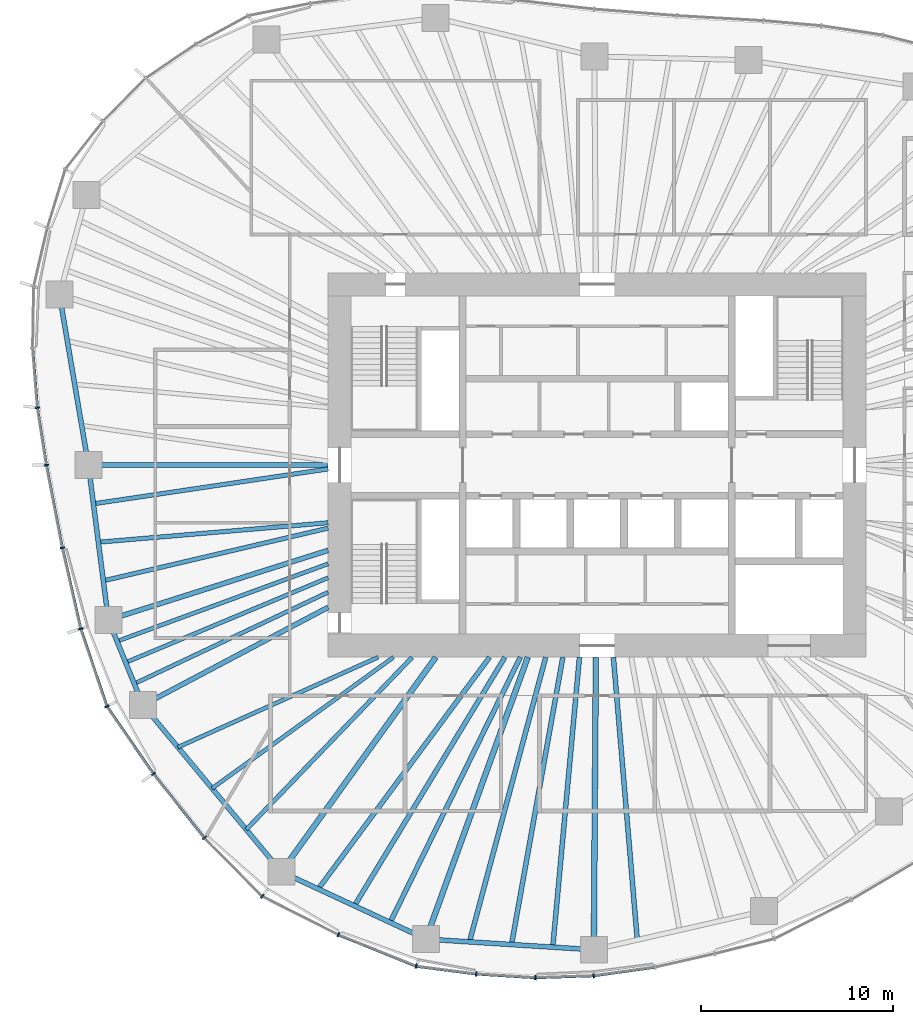
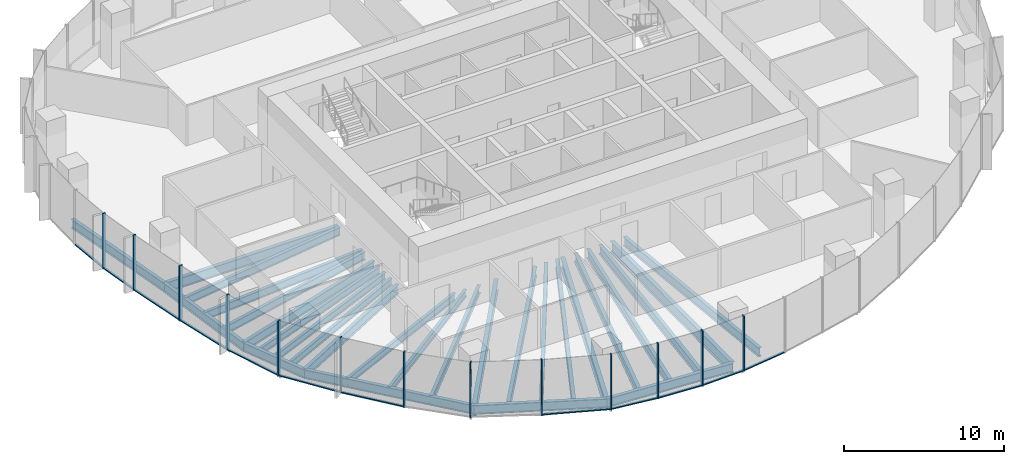
# One storey, part 2 of 18: 28 beams, 25 members, 7 elements without a shape of their own.
"""IFC4 building model written with IfcOpenShell, lengths in metres."""

from ifc_helpers import new_model, si_unit, direction, frame, origin, origin_2d, place, context, subcontext, project, spatial, rectangle, i_section, extrude, material, material_profile, profile_set, type_object, element, aggregate, save


model = new_model("IFC4")

# Units and contexts
model_context = context("Model", 3, precision=1e-05, world=origin(), true_north=direction((0.0, 1.0)))
body_context = subcontext(model_context, "Body", "Model", "MODEL_VIEW")
ifc_project = project(units=[si_unit("LENGTHUNIT", "METRE"), si_unit("AREAUNIT", "SQUARE_METRE"), si_unit("VOLUMEUNIT", "CUBIC_METRE"), si_unit("PLANEANGLEUNIT", "RADIAN"), si_unit("MASSUNIT", "GRAM", prefix="KILO")], contexts=[model_context])

# Site, building, storey
site_placement = place(None, origin())
site = spatial("IfcSite", under=ifc_project, at=site_placement, CompositionType="ELEMENT")
building_placement = place(site_placement, origin())
building = spatial("IfcBuilding", under=site, at=building_placement, Name="Ghaith Harvest Tower", CompositionType="ELEMENT")
storey_placement = place(building_placement, frame((0.0, 0.0, 151.199951171875)))
storey = spatial("IfcBuildingStorey", under=building, at=storey_placement, Name="L32", CompositionType="ELEMENT", Elevation=151.199951171875)

# Curtain wall, member
ifc_material_1 = material(Name="Black anodised aluminium and fritted glass", Category="aluminium")
curtain_wall_type = type_object("IfcCurtainWallType", Name="CW-L CURTAIN WALL", PredefinedType="NOTDEFINED", material=ifc_material_1)
curtain_wall_1_placement = place(storey_placement, origin())
curtain_wall_1 = element("IfcCurtainWall", 1, at=curtain_wall_1_placement, inside=storey, type_object=curtain_wall_type, Name="Curtain wall CW-L bay 10 L32", PredefinedType="NOTDEFINED")
ifc_material_2 = material(Name="Aluminium, black anodised", Category="aluminium")
ifc_material_profile_1 = material_profile(ifc_material_2, rectangle(XDim=0.080078125, YDim=0.239990234375, at=origin_2d()), Name="CW-L MULLION 80x240")
ifc_profile_set_1 = profile_set([ifc_material_profile_1], Name="Aluminium, black anodised")
member_type_1 = type_object("IfcMemberType", Name="CW-L MULLION 80x240", PredefinedType="MULLION", material=ifc_profile_set_1)
member_1_placement = place(storey_placement, frame((-29.131103515625, 2.990478515625, 0.0), z_axis=(0.0, 0.0, 1.0), x_axis=(0.116763791346, -0.993159713757, 0.0)))
member_1 = element("IfcMember", 2, at=member_1_placement, type_object=member_type_1, Name="CW-L mullion 3 bay 10 L32", PredefinedType="MULLION", context=body_context, shape_type="SweptSolid", body=[
    extrude(rectangle(XDim=0.080078125, YDim=0.239990234375, at=origin_2d()), origin(), (0.0, 0.0, 1.0), 4.199951171875),
])

# Curtain wall, members
curtain_wall_2_placement = place(storey_placement, origin())
curtain_wall_2 = element("IfcCurtainWall", 3, at=curtain_wall_2_placement, inside=storey, type_object=curtain_wall_type, Name="Curtain wall CW-L bay 11 L32", PredefinedType="NOTDEFINED")
member_2_placement = place(storey_placement, frame((-28.6611328125, 0.0, 0.0), z_axis=(0.0, 0.0, 1.0), x_axis=(0.175827209372, -0.984421044292, 0.0)))
member_2 = element("IfcMember", 4, at=member_2_placement, type_object=member_type_1, Name="CW-L mullion 1 bay 11 L32", PredefinedType="MULLION", context=body_context, shape_type="SweptSolid", body=[
    extrude(rectangle(XDim=0.080078125, YDim=0.239990234375, at=origin_2d()), origin(), (0.0, 0.0, 1.0), 4.199951171875),
])
member_3_placement = place(storey_placement, frame((-27.828125, -4.30419921875, 0.0), z_axis=(0.0, 0.0, 1.0), x_axis=(0.205176300018, -0.978725030798, 0.0)))
member_3 = element("IfcMember", 5, at=member_3_placement, type_object=member_type_1, Name="CW-L mullion 2 bay 11 L32", PredefinedType="MULLION", context=body_context, shape_type="SweptSolid", body=[
    extrude(rectangle(XDim=0.080078125, YDim=0.239990234375, at=origin_2d()), origin(), (0.0, 0.0, 1.0), 4.199951171875),
])

curtain_wall_3_placement = place(storey_placement, origin())
curtain_wall_3 = element("IfcCurtainWall", 6, at=curtain_wall_3_placement, inside=storey, type_object=curtain_wall_type, Name="Curtain wall CW-L bay 12 L32", PredefinedType="NOTDEFINED")
member_4_placement = place(storey_placement, frame((-26.875732421875, -8.517333984375, 0.0), z_axis=(0.0, 0.0, 1.0), x_axis=(0.270018818005, -0.962855045125, 0.0)))
member_4 = element("IfcMember", 7, at=member_4_placement, type_object=member_type_1, Name="CW-L mullion 1 bay 12 L32", PredefinedType="MULLION", context=body_context, shape_type="SweptSolid", body=[
    extrude(rectangle(XDim=0.080078125, YDim=0.239990234375, at=origin_2d()), origin(), (0.0, 0.0, 1.0), 4.199951171875),
])
member_5_placement = place(storey_placement, frame((-25.513427734375, -12.55810546875, 0.0), z_axis=(0.0, 0.0, 1.0), x_axis=(0.448267068681, -0.893899678452, 0.0)))
member_5 = element("IfcMember", 8, at=member_5_placement, type_object=member_type_1, Name="CW-L mullion 2 bay 12 L32", PredefinedType="MULLION", context=body_context, shape_type="SweptSolid", body=[
    extrude(rectangle(XDim=0.080078125, YDim=0.239990234375, at=origin_2d()), origin(), (0.0, 0.0, 1.0), 4.199951171875),
])

curtain_wall_4_placement = place(storey_placement, origin())
curtain_wall_4 = element("IfcCurtainWall", 9, at=curtain_wall_4_placement, inside=storey, type_object=curtain_wall_type, Name="Curtain wall CW-L bay 13 L32", PredefinedType="NOTDEFINED")
member_6_placement = place(storey_placement, frame((-23.090087890625, -16.066162109375, 0.0), z_axis=(0.0, 0.0, 1.0), x_axis=(0.595740202191, -0.803177198066, 0.0)))
member_6 = element("IfcMember", 10, at=member_6_placement, type_object=member_type_1, Name="CW-L mullion 1 bay 13 L32", PredefinedType="MULLION", context=body_context, shape_type="SweptSolid", body=[
    extrude(rectangle(XDim=0.080078125, YDim=0.239990234375, at=origin_2d()), origin(), (0.0, 0.0, 1.0), 4.199951171875),
])
member_7_placement = place(storey_placement, frame((-20.441162109375, -19.396728515625, 0.0), z_axis=(0.0, 0.0, 1.0), x_axis=(0.663764675537, -0.747941478666, 0.0)))
member_7 = element("IfcMember", 11, at=member_7_placement, type_object=member_type_1, Name="CW-L mullion 2 bay 13 L32", PredefinedType="MULLION", context=body_context, shape_type="SweptSolid", body=[
    extrude(rectangle(XDim=0.080078125, YDim=0.239990234375, at=origin_2d()), origin(), (0.0, 0.0, 1.0), 4.199951171875),
])

curtain_wall_5_placement = place(storey_placement, origin())
curtain_wall_5 = element("IfcCurtainWall", 12, at=curtain_wall_5_placement, inside=storey, type_object=curtain_wall_type, Name="Curtain wall CW-L bay 14 L32", PredefinedType="NOTDEFINED")
member_8_placement = place(storey_placement, frame((-17.430419921875, -22.443603515625, 0.0), z_axis=(0.0, 0.0, 1.0), x_axis=(0.810339399222, -0.585960799089, 0.0)))
member_8 = element("IfcMember", 13, at=member_8_placement, type_object=member_type_1, Name="CW-L mullion 1 bay 14 L32", PredefinedType="MULLION", context=body_context, shape_type="SweptSolid", body=[
    extrude(rectangle(XDim=0.080078125, YDim=0.239990234375, at=origin_2d()), origin(), (0.0, 0.0, 1.0), 4.199951171875),
])
member_9_placement = place(storey_placement, frame((-13.463134765625, -24.4423828125, 0.0), z_axis=(0.0, 0.0, 1.0), x_axis=(0.910648017946, -0.413182995066, 0.0)))
member_9 = element("IfcMember", 14, at=member_9_placement, type_object=member_type_1, Name="CW-L mullion 2 bay 14 L32", PredefinedType="MULLION", context=body_context, shape_type="SweptSolid", body=[
    extrude(rectangle(XDim=0.080078125, YDim=0.239990234375, at=origin_2d()), origin(), (0.0, 0.0, 1.0), 4.199951171875),
])

curtain_wall_6_placement = place(storey_placement, origin())
curtain_wall_6 = element("IfcCurtainWall", 15, at=curtain_wall_6_placement, inside=storey, type_object=curtain_wall_type, Name="Curtain wall CW-L bay 15 L32", PredefinedType="NOTDEFINED")
member_10_placement = place(storey_placement, frame((-9.4189453125, -26.07861328125, 0.0), z_axis=(0.0, 0.0, 1.0), x_axis=(0.961788606004, -0.273793128768, 0.0)))
member_10 = element("IfcMember", 16, at=member_10_placement, type_object=member_type_1, Name="CW-L mullion 1 bay 15 L32", PredefinedType="MULLION", context=body_context, shape_type="SweptSolid", body=[
    extrude(rectangle(XDim=0.080078125, YDim=0.239990234375, at=origin_2d()), origin(), (0.0, 0.0, 1.0), 4.199951171875),
])
member_11_placement = place(storey_placement, frame((-6.29443359375, -26.483154296875, 0.0), z_axis=(0.0, 0.0, 1.0), x_axis=(0.995389243171, -0.095917957546, 0.0)))
member_11 = element("IfcMember", 17, at=member_11_placement, type_object=member_type_1, Name="CW-L mullion 2 bay 15 L32", PredefinedType="MULLION", context=body_context, shape_type="SweptSolid", body=[
    extrude(rectangle(XDim=0.080078125, YDim=0.239990234375, at=origin_2d()), origin(), (0.0, 0.0, 1.0), 4.199951171875),
])
member_12_placement = place(storey_placement, frame((-3.21923828125, -26.676025390625, 0.0), z_axis=(0.0, 0.0, 1.0), x_axis=(0.999890531495, -0.014796115241, 0.0)))
member_12 = element("IfcMember", 18, at=member_12_placement, type_object=member_type_1, Name="CW-L mullion 3 bay 15 L32", PredefinedType="MULLION", context=body_context, shape_type="SweptSolid", body=[
    extrude(rectangle(XDim=0.080078125, YDim=0.239990234375, at=origin_2d()), origin(), (0.0, 0.0, 1.0), 4.199951171875),
])

# Curtain wall, member
curtain_wall_7_placement = place(storey_placement, origin())
curtain_wall_7 = element("IfcCurtainWall", 19, at=curtain_wall_7_placement, inside=storey, type_object=curtain_wall_type, Name="Curtain wall CW-L bay 16 L32", PredefinedType="NOTDEFINED")
member_13_placement = place(storey_placement, frame((-0.181884765625, -26.57373046875, 0.0), z_axis=(0.0, 0.0, 1.0), x_axis=(0.996169227662, 0.087446382772, 0.0)))
member_13 = element("IfcMember", 20, at=member_13_placement, type_object=member_type_1, Name="CW-L mullion 1 bay 16 L32", PredefinedType="MULLION", context=body_context, shape_type="SweptSolid", body=[
    extrude(rectangle(XDim=0.080078125, YDim=0.239990234375, at=origin_2d()), origin(), (0.0, 0.0, 1.0), 4.199951171875),
])

# Member
ifc_material_3 = material(Name="Aluminium, black anodised", Category="aluminium")
ifc_material_profile_2 = material_profile(ifc_material_3, rectangle(XDim=0.14990234375, YDim=0.080078125, at=origin_2d()), Name="CW-L TRANSOM 150x80")
ifc_profile_set_2 = profile_set([ifc_material_profile_2], Name="Aluminium, black anodised")
member_type_2 = type_object("IfcMemberType", Name="CW-L TRANSOM 150x80", PredefinedType="USERDEFINED", material=ifc_profile_set_2)
member_14_placement = place(storey_placement, frame((-29.374755859375, 6.05615234375, 0.0400390625), z_axis=(0.079230491279, -0.996856323274, 0.0), x_axis=(0.996856323274, 0.079230491279, 0.0)))
member_14 = element("IfcMember", 21, at=member_14_placement, type_object=member_type_2, Name="CW-L transom 2 bay 10 L32", ObjectType="TRANSOM", PredefinedType="USERDEFINED", context=body_context, shape_type="SweptSolid", body=[
    extrude(rectangle(XDim=0.14990234375, YDim=0.080078125, at=origin_2d()), origin(), (0.0, 0.0, 1.0), 3.03515625),
])

member_15_placement = place(storey_placement, frame((-29.124755859375, 2.951171875, 0.0400390625), z_axis=(0.155150065502, -0.987890913601, 0.0), x_axis=(0.987890913601, 0.155150065502, 0.0)))
member_15 = element("IfcMember", 22, at=member_15_placement, type_object=member_type_2, Name="CW-L transom 3 bay 10 L32", ObjectType="TRANSOM", PredefinedType="USERDEFINED", context=body_context, shape_type="SweptSolid", body=[
    extrude(rectangle(XDim=0.14990234375, YDim=0.080078125, at=origin_2d()), origin(), (0.0, 0.0, 1.0), 2.947265625),
])

aggregate(curtain_wall_1, [member_14, member_1, member_15])

member_16_placement = place(storey_placement, frame((-28.653564453125, -0.039306640625, 0.0400390625), z_axis=(0.190025434036, -0.981779167848, 0.0), x_axis=(0.981779167848, 0.190025434036, 0.0)))
member_16 = element("IfcMember", 23, at=member_16_placement, type_object=member_type_2, Name="CW-L transom 1 bay 11 L32", ObjectType="TRANSOM", PredefinedType="USERDEFINED", context=body_context, shape_type="SweptSolid", body=[
    extrude(rectangle(XDim=0.14990234375, YDim=0.080078125, at=origin_2d()), origin(), (0.0, 0.0, 1.0), 4.303955078125),
])

member_17_placement = place(storey_placement, frame((-27.8193359375, -4.34326171875, 0.0400390625), z_axis=(0.220508326041, -0.975385092231, 0.0), x_axis=(0.975385092231, 0.220508326041, 0.0)))
member_17 = element("IfcMember", 24, at=member_17_placement, type_object=member_type_2, Name="CW-L transom 2 bay 11 L32", ObjectType="TRANSOM", PredefinedType="USERDEFINED", context=body_context, shape_type="SweptSolid", body=[
    extrude(rectangle(XDim=0.14990234375, YDim=0.080078125, at=origin_2d()), origin(), (0.0, 0.0, 1.0), 4.2392578125),
])

aggregate(curtain_wall_2, [member_2, member_16, member_3, member_17])

member_18_placement = place(storey_placement, frame((-26.863037109375, -8.55517578125, 0.0400390625), z_axis=(0.319499057133, -0.947586593664, 0.0), x_axis=(0.947586593664, 0.319499057133, 0.0)))
member_18 = element("IfcMember", 25, at=member_18_placement, type_object=member_type_2, Name="CW-L transom 1 bay 12 L32", ObjectType="TRANSOM", PredefinedType="USERDEFINED", context=body_context, shape_type="SweptSolid", body=[
    extrude(rectangle(XDim=0.14990234375, YDim=0.080078125, at=origin_2d()), origin(), (0.0, 0.0, 1.0), 4.184326171875),
])

member_19_placement = place(storey_placement, frame((-25.49072265625, -12.591064453125, 0.0400390625), z_axis=(0.568360052499, -0.822779952796, 0.0), x_axis=(0.822779952796, 0.568360052499, 0.0)))
member_19 = element("IfcMember", 26, at=member_19_placement, type_object=member_type_2, Name="CW-L transom 2 bay 12 L32", ObjectType="TRANSOM", PredefinedType="USERDEFINED", context=body_context, shape_type="SweptSolid", body=[
    extrude(rectangle(XDim=0.14990234375, YDim=0.080078125, at=origin_2d()), origin(), (0.0, 0.0, 1.0), 4.183837890625),
])

aggregate(curtain_wall_3, [member_4, member_18, member_5, member_19])

member_20_placement = place(storey_placement, frame((-23.065185546875, -16.09765625, 0.0400390625), z_axis=(0.622510542814, -0.782611413209, 0.0), x_axis=(0.782611413209, 0.622510542814, 0.0)))
member_20 = element("IfcMember", 27, at=member_20_placement, type_object=member_type_2, Name="CW-L transom 1 bay 13 L32", ObjectType="TRANSOM", PredefinedType="USERDEFINED", context=body_context, shape_type="SweptSolid", body=[
    extrude(rectangle(XDim=0.14990234375, YDim=0.080078125, at=origin_2d()), origin(), (0.0, 0.0, 1.0), 4.17529296875),
])

aggregate(curtain_wall_4, [member_6, member_20, member_7])

member_21_placement = place(storey_placement, frame((-13.426025390625, -24.45751953125, 0.0400390625), z_axis=(0.92700297754, -0.375053968959, 0.0), x_axis=(0.375053968959, 0.92700297754, 0.0)))
member_21 = element("IfcMember", 28, at=member_21_placement, type_object=member_type_2, Name="CW-L transom 2 bay 14 L32", ObjectType="TRANSOM", PredefinedType="USERDEFINED", context=body_context, shape_type="SweptSolid", body=[
    extrude(rectangle(XDim=0.14990234375, YDim=0.080078125, at=origin_2d()), origin(), (0.0, 0.0, 1.0), 4.282470703125),
])

aggregate(curtain_wall_5, [member_8, member_9, member_21])

member_22_placement = place(storey_placement, frame((-9.37939453125, -26.083740234375, 0.0400390625), z_axis=(0.991722765635, -0.128397648429, 0.0), x_axis=(0.128397648429, 0.991722765635, 0.0)))
member_22 = element("IfcMember", 29, at=member_22_placement, type_object=member_type_2, Name="CW-L transom 1 bay 15 L32", ObjectType="TRANSOM", PredefinedType="USERDEFINED", context=body_context, shape_type="SweptSolid", body=[
    extrude(rectangle(XDim=0.14990234375, YDim=0.080078125, at=origin_2d()), origin(), (0.0, 0.0, 1.0), 3.07080078125),
])

member_23_placement = place(storey_placement, frame((-6.25439453125, -26.485595703125, 0.0400390625), z_axis=(0.998036402434, -0.062636566132, 0.0), x_axis=(0.062636566132, 0.998036402434, 0.0)))
member_23 = element("IfcMember", 30, at=member_23_placement, type_object=member_type_2, Name="CW-L transom 2 bay 15 L32", ObjectType="TRANSOM", PredefinedType="USERDEFINED", context=body_context, shape_type="SweptSolid", body=[
    extrude(rectangle(XDim=0.14990234375, YDim=0.080078125, at=origin_2d()), origin(), (0.0, 0.0, 1.0), 3.001220703125),
])

member_24_placement = place(storey_placement, frame((-3.17919921875, -26.6748046875, 0.0400390625), z_axis=(0.999430436664, 0.033746144522, 0.0), x_axis=(-0.033746144522, 0.999430436664, 0.0)))
member_24 = element("IfcMember", 31, at=member_24_placement, type_object=member_type_2, Name="CW-L transom 3 bay 15 L32", ObjectType="TRANSOM", PredefinedType="USERDEFINED", context=body_context, shape_type="SweptSolid", body=[
    extrude(rectangle(XDim=0.14990234375, YDim=0.080078125, at=origin_2d()), origin(), (0.0, 0.0, 1.0), 2.958984375),
])

aggregate(curtain_wall_6, [member_10, member_22, member_11, member_23, member_12, member_24])

member_25_placement = place(storey_placement, frame((-0.142333984375, -26.568115234375, 0.0400390625), z_axis=(0.990446640965, 0.137896524254, 0.0), x_axis=(-0.137896524254, 0.990446640965, 0.0)))
member_25 = element("IfcMember", 32, at=member_25_placement, type_object=member_type_2, Name="CW-L transom 1 bay 16 L32", ObjectType="TRANSOM", PredefinedType="USERDEFINED", context=body_context, shape_type="SweptSolid", body=[
    extrude(rectangle(XDim=0.14990234375, YDim=0.080078125, at=origin_2d()), origin(), (0.0, 0.0, 1.0), 3.142578125),
])

aggregate(curtain_wall_7, [member_13, member_25])

# Beams
ifc_material_4 = material(Name="Steel ASTM A992 Grade 50", Category="steel")
ifc_material_profile_3 = material_profile(ifc_material_4, i_section(OverallWidth=0.25390625, OverallDepth=0.68408203125, WebThickness=0.012451171875, FlangeThickness=0.018798828125, at=origin_2d()), Name="W690X140")
ifc_profile_set_3 = profile_set([ifc_material_profile_3], Name="Steel ASTM A992 Grade 50")
beam_type_1 = type_object("IfcBeamType", Name="E690-140 W690X140", PredefinedType="SPANDREL", material=ifc_profile_set_3)
beam_1_placement = place(storey_placement, frame((-27.98291015625, 8.867919921875, -0.511962890625), z_axis=(0.167624246844, -0.985850958244, 0.0), x_axis=(0.985850958244, 0.167624246844, 0.0)))
element("IfcBeam", 33, at=beam_1_placement, inside=storey, type_object=beam_type_1, Name="Edge beam E10 L32", PredefinedType="SPANDREL", context=body_context, shape_type="SweptSolid", body=[
    extrude(i_section(OverallWidth=0.25390625, OverallDepth=0.68408203125, WebThickness=0.012451171875, FlangeThickness=0.018798828125, at=origin_2d()), origin(), (0.0, 0.0, 1.0), 8.9951171875),
])
beam_2_placement = place(storey_placement, frame((-26.47509765625, 0.0, -0.511962890625), z_axis=(0.127841715048, -0.991794583517, 0.0), x_axis=(0.991794583517, 0.127841715048, 0.0)))
element("IfcBeam", 34, at=beam_2_placement, inside=storey, type_object=beam_type_1, Name="Edge beam E11 L32", PredefinedType="SPANDREL", context=body_context, shape_type="SweptSolid", body=[
    extrude(i_section(OverallWidth=0.25390625, OverallDepth=0.68408203125, WebThickness=0.012451171875, FlangeThickness=0.018798828125, at=origin_2d()), origin(), (0.0, 0.0, 1.0), 8.127685546875),
])
beam_3_placement = place(storey_placement, frame((-25.43603515625, -8.06103515625, -0.511962890625), z_axis=(0.376479712052, -0.9264248628, 0.0), x_axis=(0.9264248628, 0.376479712052, 0.0)))
element("IfcBeam", 35, at=beam_3_placement, inside=storey, type_object=beam_type_1, Name="Edge beam E12 L32", PredefinedType="SPANDREL", context=body_context, shape_type="SweptSolid", body=[
    extrude(i_section(OverallWidth=0.25390625, OverallDepth=0.68408203125, WebThickness=0.012451171875, FlangeThickness=0.018798828125, at=origin_2d()), origin(), (0.0, 0.0, 1.0), 4.783935546875),
])
beam_4_placement = place(storey_placement, frame((-23.635009765625, -12.492919921875, -0.511962890625), z_axis=(0.638719320052, -0.769439815835, 0.0), x_axis=(0.769439815835, 0.638719320052, 0.0)))
element("IfcBeam", 36, at=beam_4_placement, inside=storey, type_object=beam_type_1, Name="Edge beam E13 L32", PredefinedType="SPANDREL", context=body_context, shape_type="SweptSolid", body=[
    extrude(i_section(OverallWidth=0.25390625, OverallDepth=0.68408203125, WebThickness=0.012451171875, FlangeThickness=0.018798828125, at=origin_2d()), origin(), (0.0, 0.0, 1.0), 11.26953125),
])
beam_5_placement = place(storey_placement, frame((-16.43701171875, -21.1640625, -0.511962890625), z_axis=(0.906607079462, -0.421975832802, 0.0), x_axis=(0.421975832802, 0.906607079462, 0.0)))
element("IfcBeam", 37, at=beam_5_placement, inside=storey, type_object=beam_type_1, Name="Edge beam E14 L32", PredefinedType="SPANDREL", context=body_context, shape_type="SweptSolid", body=[
    extrude(i_section(OverallWidth=0.25390625, OverallDepth=0.68408203125, WebThickness=0.012451171875, FlangeThickness=0.018798828125, at=origin_2d()), origin(), (0.0, 0.0, 1.0), 8.303466796875),
])
beam_6_placement = place(storey_placement, frame((-8.908935546875, -24.66796875, -0.511962890625), z_axis=(0.99797963184, -0.063534671101, 0.0), x_axis=(0.063534671101, 0.99797963184, 0.0)))
element("IfcBeam", 38, at=beam_6_placement, inside=storey, type_object=beam_type_1, Name="Edge beam E15 L32", PredefinedType="SPANDREL", context=body_context, shape_type="SweptSolid", body=[
    extrude(i_section(OverallWidth=0.25390625, OverallDepth=0.68408203125, WebThickness=0.012451171875, FlangeThickness=0.018798828125, at=origin_2d()), origin(), (0.0, 0.0, 1.0), 8.75341796875),
])
ifc_material_5 = material(Name="Steel ASTM A992 Grade 50", Category="steel")
ifc_material_profile_4 = material_profile(ifc_material_5, i_section(OverallWidth=0.256103515625, OverallDepth=0.693115234375, WebThickness=0.014404296875, FlangeThickness=0.023681640625, at=origin_2d()), Name="W690X170")
ifc_profile_set_4 = profile_set([ifc_material_profile_4], Name="Steel ASTM A992 Grade 50")
beam_type_2 = type_object("IfcBeamType", Name="G690-170 W690X170", PredefinedType="BEAM", material=ifc_profile_set_4)
beam_7_placement = place(storey_placement, frame((-14.0, -4.43701171875, -0.516357421875), z_axis=(-0.953279533519, -0.302089607522, 0.0), x_axis=(0.302089607522, -0.953279533519, 0.0)))
element("IfcBeam", 39, at=beam_7_placement, inside=storey, type_object=beam_type_2, Name="Radial girder G12 L32", PredefinedType="BEAM", context=body_context, shape_type="SweptSolid", body=[
    extrude(i_section(OverallWidth=0.256103515625, OverallDepth=0.693115234375, WebThickness=0.014404296875, FlangeThickness=0.023681640625, at=origin_2d()), origin(), (0.0, 0.0, 1.0), 11.99658203125),
])
beam_8_placement = place(storey_placement, frame((-14.0, -7.39990234375, -0.516357421875), z_axis=(-0.884086346066, -0.467323584576, 0.0), x_axis=(0.467323584576, -0.884086346066, 0.0)))
element("IfcBeam", 40, at=beam_8_placement, inside=storey, type_object=beam_type_2, Name="Radial girder G13 L32", PredefinedType="BEAM", context=body_context, shape_type="SweptSolid", body=[
    extrude(i_section(OverallWidth=0.256103515625, OverallDepth=0.693115234375, WebThickness=0.014404296875, FlangeThickness=0.023681640625, at=origin_2d()), origin(), (0.0, 0.0, 1.0), 10.898193359375),
])
ifc_material_6 = material(Name="Steel ASTM A992 Grade 50", Category="steel")
ifc_material_profile_5 = material_profile(ifc_material_6, i_section(OverallWidth=0.26806640625, OverallDepth=0.77001953125, WebThickness=0.015625, FlangeThickness=0.025390625, at=origin_2d()), Name="W760X196")
ifc_profile_set_5 = profile_set([ifc_material_profile_5], Name="Steel ASTM A992 Grade 50")
beam_type_3 = type_object("IfcBeamType", Name="G760-196 W760X196", PredefinedType="BEAM", material=ifc_profile_set_5)
beam_9_placement = place(storey_placement, frame((-14.0, 0.0, -0.554931640625), z_axis=(-1.0, 0.0, 0.0), x_axis=(0.0, -1.0, 0.0)))
element("IfcBeam", 41, at=beam_9_placement, inside=storey, type_object=beam_type_3, Name="Radial girder G11 L32", PredefinedType="BEAM", context=body_context, shape_type="SweptSolid", body=[
    extrude(i_section(OverallWidth=0.26806640625, OverallDepth=0.77001953125, WebThickness=0.015625, FlangeThickness=0.025390625, at=origin_2d()), origin(), (0.0, 0.0, 1.0), 12.47509765625),
])
ifc_material_7 = material(Name="Steel ASTM A992 Grade 50", Category="steel")
ifc_material_profile_6 = material_profile(ifc_material_7, i_section(OverallWidth=0.2939453125, OverallDepth=0.85107421875, WebThickness=0.01611328125, FlangeThickness=0.02685546875, at=origin_2d()), Name="W840X226")
ifc_profile_set_6 = profile_set([ifc_material_profile_6], Name="Steel ASTM A992 Grade 50")
beam_type_4 = type_object("IfcBeamType", Name="G840-226 W840X226", PredefinedType="BEAM", material=ifc_profile_set_6)
beam_10_placement = place(storey_placement, frame((-8.39990234375, -10.0, -0.595458984375), z_axis=(-0.584256100809, -0.811569349265, 0.0), x_axis=(0.811569349265, -0.584256100809, 0.0)))
element("IfcBeam", 42, at=beam_10_placement, inside=storey, type_object=beam_type_4, Name="Radial girder G14 L32", PredefinedType="BEAM", context=body_context, shape_type="SweptSolid", body=[
    extrude(i_section(OverallWidth=0.2939453125, OverallDepth=0.85107421875, WebThickness=0.01611328125, FlangeThickness=0.02685546875, at=origin_2d()), origin(), (0.0, 0.0, 1.0), 13.756103515625),
])
beam_11_placement = place(storey_placement, frame((-3.61181640625, -10.0, -0.595458984375), z_axis=(-0.339664467784, -0.940546675782, 0.0), x_axis=(0.940546675782, -0.339664467784, 0.0)))
element("IfcBeam", 43, at=beam_11_placement, inside=storey, type_object=beam_type_4, Name="Radial girder G15 L32", PredefinedType="BEAM", context=body_context, shape_type="SweptSolid", body=[
    extrude(i_section(OverallWidth=0.2939453125, OverallDepth=0.85107421875, WebThickness=0.01611328125, FlangeThickness=0.02685546875, at=origin_2d()), origin(), (0.0, 0.0, 1.0), 15.59521484375),
])
beam_12_placement = place(storey_placement, frame((-0.068359375, -10.0, -0.595458984375), z_axis=(-0.006879467722, -0.999976336182, 0.0), x_axis=(0.999976336182, -0.006879467722, 0.0)))
element("IfcBeam", 44, at=beam_12_placement, inside=storey, type_object=beam_type_4, Name="Radial girder G16 L32", PredefinedType="BEAM", context=body_context, shape_type="SweptSolid", body=[
    extrude(i_section(OverallWidth=0.2939453125, OverallDepth=0.85107421875, WebThickness=0.01611328125, FlangeThickness=0.02685546875, at=origin_2d()), origin(), (0.0, 0.0, 1.0), 15.224365234375),
])
ifc_material_8 = material(Name="Steel ASTM A992 Grade 50", Category="steel")
ifc_material_profile_7 = material_profile(ifc_material_8, i_section(OverallWidth=0.2109375, OverallDepth=0.5390625, WebThickness=0.01171875, FlangeThickness=0.018798828125, at=origin_2d()), Name="W530X109")
ifc_profile_set_7 = profile_set([ifc_material_profile_7], Name="Steel ASTM A992 Grade 50")
beam_type_5 = type_object("IfcBeamType", Name="J530-109 W530X109", PredefinedType="JOIST", material=ifc_profile_set_7)
beam_13_placement = place(storey_placement, frame((-14.0, -5.137939453125, -0.439453125), z_axis=(-0.938774452531, -0.344532331247, 0.0), x_axis=(0.344532331247, -0.938774452531, 0.0)))
element("IfcBeam", 45, at=beam_13_placement, inside=storey, type_object=beam_type_5, Name="Joist J12.1 L32", PredefinedType="JOIST", context=body_context, shape_type="SweptSolid", body=[
    extrude(i_section(OverallWidth=0.2109375, OverallDepth=0.5390625, WebThickness=0.01171875, FlangeThickness=0.018798828125, at=origin_2d()), origin(), (0.0, 0.0, 1.0), 11.7021484375),
])
beam_14_placement = place(storey_placement, frame((-14.0, -5.862548828125, -0.439453125), z_axis=(-0.922385564947, -0.386270461693, 0.0), x_axis=(0.386270461693, -0.922385564947, 0.0)))
element("IfcBeam", 46, at=beam_14_placement, inside=storey, type_object=beam_type_5, Name="Joist J12.2 L32", PredefinedType="JOIST", context=body_context, shape_type="SweptSolid", body=[
    extrude(i_section(OverallWidth=0.2109375, OverallDepth=0.5390625, WebThickness=0.01171875, FlangeThickness=0.018798828125, at=origin_2d()), origin(), (0.0, 0.0, 1.0), 11.4228515625),
])
beam_15_placement = place(storey_placement, frame((-14.0, -6.614990234375, -0.439453125), z_axis=(-0.904150042111, -0.427215052815, 0.0), x_axis=(0.427215052815, -0.904150042111, 0.0)))
element("IfcBeam", 47, at=beam_15_placement, inside=storey, type_object=beam_type_5, Name="Joist J12.3 L32", PredefinedType="JOIST", context=body_context, shape_type="SweptSolid", body=[
    extrude(i_section(OverallWidth=0.2109375, OverallDepth=0.5390625, WebThickness=0.01171875, FlangeThickness=0.018798828125, at=origin_2d()), origin(), (0.0, 0.0, 1.0), 11.15625),
])
beam_16_placement = place(storey_placement, frame((-11.39990234375, -10.0, -0.439453125), z_axis=(-0.912147734774, -0.409861574127, 0.0), x_axis=(0.409861574127, -0.912147734774, 0.0)))
element("IfcBeam", 48, at=beam_16_placement, inside=storey, type_object=beam_type_5, Name="Joist J13.1 L32", PredefinedType="JOIST", context=body_context, shape_type="SweptSolid", body=[
    extrude(i_section(OverallWidth=0.2109375, OverallDepth=0.5390625, WebThickness=0.01171875, FlangeThickness=0.018798828125, at=origin_2d()), origin(), (0.0, 0.0, 1.0), 11.421875),
])
beam_17_placement = place(storey_placement, frame((-10.60009765625, -10.0, -0.439453125), z_axis=(-0.810452010932, -0.5858050341, 0.0), x_axis=(0.5858050341, -0.810452010932, 0.0)))
element("IfcBeam", 49, at=beam_17_placement, inside=storey, type_object=beam_type_5, Name="Joist J13.2 L32", PredefinedType="JOIST", context=body_context, shape_type="SweptSolid", body=[
    extrude(i_section(OverallWidth=0.2109375, OverallDepth=0.5390625, WebThickness=0.01171875, FlangeThickness=0.018798828125, at=origin_2d()), origin(), (0.0, 0.0, 1.0), 11.64794921875),
])
ifc_material_9 = material(Name="Steel ASTM A992 Grade 50", Category="steel")
ifc_material_profile_8 = material_profile(ifc_material_9, i_section(OverallWidth=0.22900390625, OverallDepth=0.612060546875, WebThickness=0.011962890625, FlangeThickness=0.01953125, at=origin_2d()), Name="W610X125")
ifc_profile_set_8 = profile_set([ifc_material_profile_8], Name="Steel ASTM A992 Grade 50")
beam_type_6 = type_object("IfcBeamType", Name="J610-125 W610X125", PredefinedType="JOIST", material=ifc_profile_set_8)
beam_18_placement = place(storey_placement, frame((-14.0, -0.199951171875, -0.475830078125), z_axis=(-0.989135422742, -0.147007195321, 0.0), x_axis=(0.147007195321, -0.989135422742, 0.0)))
element("IfcBeam", 50, at=beam_18_placement, inside=storey, type_object=beam_type_6, Name="Joist J11.1 L32", PredefinedType="JOIST", context=body_context, shape_type="SweptSolid", body=[
    extrude(i_section(OverallWidth=0.22900390625, OverallDepth=0.612060546875, WebThickness=0.011962890625, FlangeThickness=0.01953125, at=origin_2d()), origin(), (0.0, 0.0, 1.0), 12.349365234375),
])
beam_19_placement = place(storey_placement, frame((-14.0, -3.0, -0.475830078125), z_axis=(-0.996417474722, -0.0845707755, 0.0), x_axis=(0.0845707755, -0.996417474722, 0.0)))
element("IfcBeam", 51, at=beam_19_placement, inside=storey, type_object=beam_type_6, Name="Joist J11.2 L32", PredefinedType="JOIST", context=body_context, shape_type="SweptSolid", body=[
    extrude(i_section(OverallWidth=0.22900390625, OverallDepth=0.612060546875, WebThickness=0.011962890625, FlangeThickness=0.01953125, at=origin_2d()), origin(), (0.0, 0.0, 1.0), 12.00048828125),
])
beam_20_placement = place(storey_placement, frame((-14.0, -3.280517578125, -0.475830078125), z_axis=(-0.973624350862, -0.228157014813, 0.0), x_axis=(0.228157014813, -0.973624350862, 0.0)))
element("IfcBeam", 52, at=beam_20_placement, inside=storey, type_object=beam_type_6, Name="Joist J11.3 L32", PredefinedType="JOIST", context=body_context, shape_type="SweptSolid", body=[
    extrude(i_section(OverallWidth=0.22900390625, OverallDepth=0.612060546875, WebThickness=0.011962890625, FlangeThickness=0.01953125, at=origin_2d()), origin(), (0.0, 0.0, 1.0), 12.015625),
])
beam_21_placement = place(storey_placement, frame((-9.626708984375, -10.0, -0.475830078125), z_axis=(-0.693534641621, -0.720423278963, 0.0), x_axis=(0.720423278963, -0.693534641621, 0.0)))
element("IfcBeam", 53, at=beam_21_placement, inside=storey, type_object=beam_type_6, Name="Joist J13.3 L32", PredefinedType="JOIST", context=body_context, shape_type="SweptSolid", body=[
    extrude(i_section(OverallWidth=0.22900390625, OverallDepth=0.612060546875, WebThickness=0.011962890625, FlangeThickness=0.01953125, at=origin_2d()), origin(), (0.0, 0.0, 1.0), 12.4482421875),
])
ifc_material_10 = material(Name="Steel ASTM A992 Grade 50", Category="steel")
ifc_material_profile_9 = material_profile(ifc_material_10, i_section(OverallWidth=0.25390625, OverallDepth=0.68408203125, WebThickness=0.012451171875, FlangeThickness=0.018798828125, at=origin_2d()), Name="W690X140")
ifc_profile_set_9 = profile_set([ifc_material_profile_9], Name="Steel ASTM A992 Grade 50")
beam_type_7 = type_object("IfcBeamType", Name="J690-140 W690X140", PredefinedType="JOIST", material=ifc_profile_set_9)
beam_22_placement = place(storey_placement, frame((-5.60009765625, -10.0, -0.511962890625), z_axis=(-0.59434024765, -0.804213696739, 0.0), x_axis=(0.804213696739, -0.59434024765, 0.0)))
element("IfcBeam", 54, at=beam_22_placement, inside=storey, type_object=beam_type_7, Name="Joist J14.1 L32", PredefinedType="JOIST", context=body_context, shape_type="SweptSolid", body=[
    extrude(i_section(OverallWidth=0.25390625, OverallDepth=0.68408203125, WebThickness=0.012451171875, FlangeThickness=0.018798828125, at=origin_2d()), origin(), (0.0, 0.0, 1.0), 14.995849609375),
])
beam_23_placement = place(storey_placement, frame((-4.800048828125, -10.0, -0.511962890625), z_axis=(-0.517986442874, -0.855388826791, 0.0), x_axis=(0.855388826791, -0.517986442874, 0.0)))
element("IfcBeam", 55, at=beam_23_placement, inside=storey, type_object=beam_type_7, Name="Joist J14.2 L32", PredefinedType="JOIST", context=body_context, shape_type="SweptSolid", body=[
    extrude(i_section(OverallWidth=0.25390625, OverallDepth=0.68408203125, WebThickness=0.012451171875, FlangeThickness=0.018798828125, at=origin_2d()), origin(), (0.0, 0.0, 1.0), 15.12158203125),
])
beam_24_placement = place(storey_placement, frame((-4.0, -10.0, -0.511962890625), z_axis=(-0.440562898219, -0.897721745706, 0.0), x_axis=(0.897721745706, -0.440562898219, 0.0)))
element("IfcBeam", 56, at=beam_24_placement, inside=storey, type_object=beam_type_7, Name="Joist J14.3 L32", PredefinedType="JOIST", context=body_context, shape_type="SweptSolid", body=[
    extrude(i_section(OverallWidth=0.25390625, OverallDepth=0.68408203125, WebThickness=0.012451171875, FlangeThickness=0.018798828125, at=origin_2d()), origin(), (0.0, 0.0, 1.0), 15.372802734375),
])
beam_25_placement = place(storey_placement, frame((-2.677978515625, -10.0, -0.511962890625), z_axis=(-0.258693109612, -0.965959561803, 0.0), x_axis=(0.965959561803, -0.258693109612, 0.0)))
element("IfcBeam", 57, at=beam_25_placement, inside=storey, type_object=beam_type_7, Name="Joist J15.1 L32", PredefinedType="JOIST", context=body_context, shape_type="SweptSolid", body=[
    extrude(i_section(OverallWidth=0.25390625, OverallDepth=0.68408203125, WebThickness=0.012451171875, FlangeThickness=0.018798828125, at=origin_2d()), origin(), (0.0, 0.0, 1.0), 15.333984375),
])
beam_26_placement = place(storey_placement, frame((-1.785888671875, -10.0, -0.511962890625), z_axis=(-0.175792307544, -0.984427277461, 0.0), x_axis=(0.984427277461, -0.175792307544, 0.0)))
element("IfcBeam", 58, at=beam_26_placement, inside=storey, type_object=beam_type_7, Name="Joist J15.2 L32", PredefinedType="JOIST", context=body_context, shape_type="SweptSolid", body=[
    extrude(i_section(OverallWidth=0.25390625, OverallDepth=0.68408203125, WebThickness=0.012451171875, FlangeThickness=0.018798828125, at=origin_2d()), origin(), (0.0, 0.0, 1.0), 15.18798828125),
])
beam_27_placement = place(storey_placement, frame((-0.92041015625, -10.0, -0.511962890625), z_axis=(-0.091651457116, -0.995791147987, 0.0), x_axis=(0.995791147987, -0.091651457116, 0.0)))
element("IfcBeam", 59, at=beam_27_placement, inside=storey, type_object=beam_type_7, Name="Joist J15.3 L32", PredefinedType="JOIST", context=body_context, shape_type="SweptSolid", body=[
    extrude(i_section(OverallWidth=0.25390625, OverallDepth=0.68408203125, WebThickness=0.012451171875, FlangeThickness=0.018798828125, at=origin_2d()), origin(), (0.0, 0.0, 1.0), 15.151611328125),
])
beam_28_placement = place(storey_placement, frame((0.844970703125, -10.0, -0.511962890625), z_axis=(0.084208979751, -0.996448115924, 0.0), x_axis=(0.996448115924, 0.084208979751, 0.0)))
element("IfcBeam", 60, at=beam_28_placement, inside=storey, type_object=beam_type_7, Name="Joist J16.1 L32", PredefinedType="JOIST", context=body_context, shape_type="SweptSolid", body=[
    extrude(i_section(OverallWidth=0.25390625, OverallDepth=0.68408203125, WebThickness=0.012451171875, FlangeThickness=0.018798828125, at=origin_2d()), origin(), (0.0, 0.0, 1.0), 14.760009765625),
])

save(model, "model.ifc")
